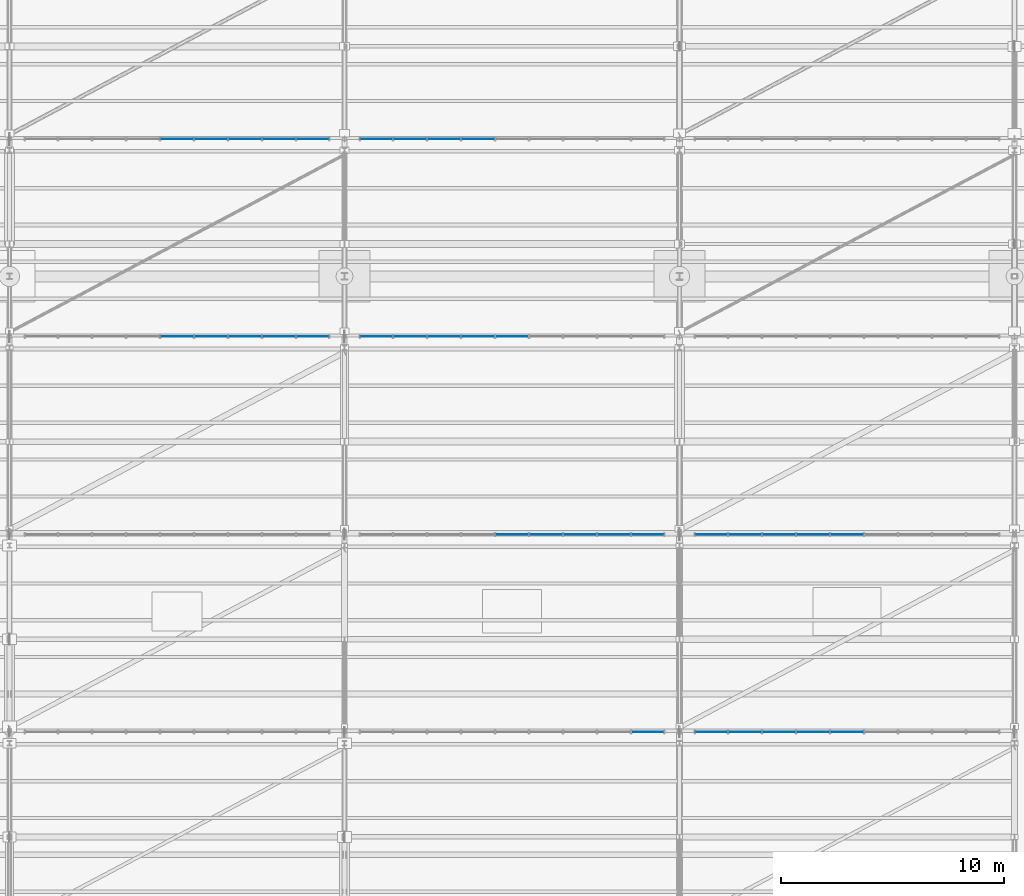
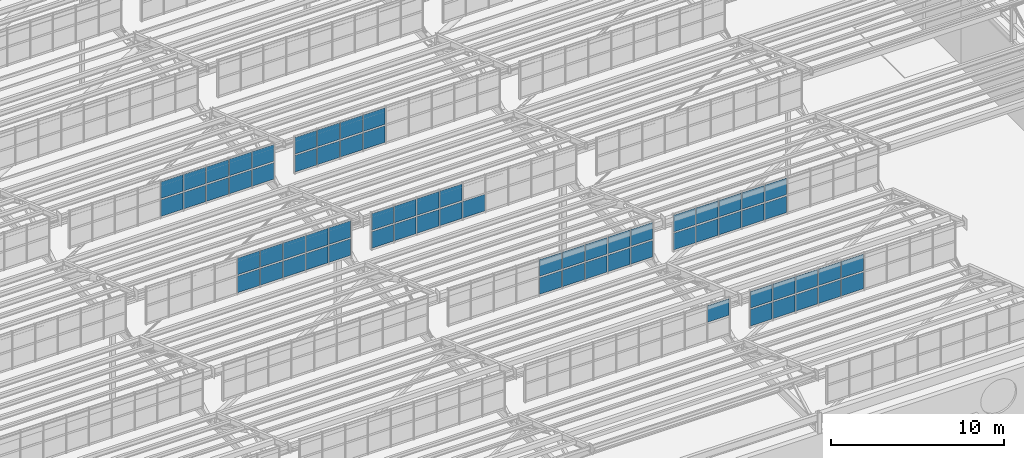
# One storey, part 174 of 285: 68 plates, 8 elements without a shape of their own.
"""IFC4 building model written with IfcOpenShell, lengths in metres."""

import ifcopenshell
import ifcopenshell.guid

model = None  # the IFC model being written
_history = None  # IfcOwnerHistory: only IFC2X3 demands one
_inside = {}  # id of a spatial element -> (the spatial element, [elements in it])
_under = {}  # id of a project, library or spatial element -> (it, [spatial elements below it])
_declared = {}  # id of a project -> (the project, [libraries it declares])
_typed = {}  # id of a type object -> (the type object, [elements of that type])
_made_of = {}  # id of a material, layer set ... -> (it, [elements and type objects made of it])


def new_model(schema):
    """Start an empty IFC model of exactly this schema.

    Asked for "IFC4X3", IfcOpenShell would pick the latest addendum, in which some entities
    have other attributes; the version numbers below select the first issue.
    IFC2X3 requires an IfcOwnerHistory on every rooted entity: one is made here for all.
    """
    global model, _history
    if schema == "IFC4X3":
        model = ifcopenshell.file(schema_version=(4, 3, 0, 0))
    else:
        model = ifcopenshell.file(schema=schema)
    _inside.clear()
    _under.clear()
    _declared.clear()
    _typed.clear()
    _made_of.clear()
    _history = None
    if model.schema == "IFC2X3":
        org = make("IfcOrganization", Name="unknown")
        user = make(
            "IfcPersonAndOrganization",
            ThePerson=make("IfcPerson", FamilyName="unknown"),
            TheOrganization=org,
        )
        app = make(
            "IfcApplication",
            ApplicationDeveloper=org,
            Version="unknown",
            ApplicationFullName="unknown",
            ApplicationIdentifier="unknown",
        )
        _history = make(
            "IfcOwnerHistory",
            OwningUser=user,
            OwningApplication=app,
            ChangeAction="ADDED",
            CreationDate=0,
        )
    return model


def make(cls, **values):
    """One entity of the class cls with the attributes given. An attribute that is None is left unset."""
    return model.create_entity(
        cls, **{name: value for name, value in values.items() if value is not None}
    )


def rooted(cls, **values):
    """An entity with a GlobalId (a new one), such as an element, a storey or a relation."""
    return make(cls, GlobalId=ifcopenshell.guid.new(), OwnerHistory=_history, **values)


def si_unit(unit_type, name, prefix=None):
    """IfcSIUnit, for example si_unit("LENGTHUNIT", "METRE", prefix="MILLI")."""
    return make("IfcSIUnit", UnitType=unit_type, Prefix=prefix, Name=name)


def assignment(units):
    """IfcUnitAssignment: the units of a project."""
    return None if units is None else make("IfcUnitAssignment", Units=units)


def point(xyz):
    """IfcCartesianPoint."""
    return None if xyz is None else make("IfcCartesianPoint", Coordinates=xyz)


def direction(xyz):
    """IfcDirection."""
    return None if xyz is None else make("IfcDirection", DirectionRatios=xyz)


def frame(location, z_axis=None, x_axis=None):
    """IfcAxis2Placement3D, a coordinate frame: its origin and axes. An axis left out is left unset."""
    return make(
        "IfcAxis2Placement3D",
        Location=point(location),
        Axis=direction(z_axis),
        RefDirection=direction(x_axis),
    )


def frame_2d(location, x_axis=None):
    """IfcAxis2Placement2D, a coordinate frame in the plane: its origin and x axis."""
    return make(
        "IfcAxis2Placement2D", Location=point(location), RefDirection=direction(x_axis)
    )


def origin():
    """The frame at (0, 0, 0) with its axes left unset."""
    return frame((0.0, 0.0, 0.0))


def origin_2d():
    """The frame at (0, 0) in the plane with its x axis left unset."""
    return frame_2d((0.0, 0.0))


def place(relative_to, where):
    """IfcLocalPlacement: puts the frame where relative to a parent placement (None: the world)."""
    return make(
        "IfcLocalPlacement", PlacementRelTo=relative_to, RelativePlacement=where
    )


def context(
    kind, dimensions, precision=None, world=None, true_north=None, identifier=None
):
    """IfcGeometricRepresentationContext, for example the 3D "Model" context."""
    return make(
        "IfcGeometricRepresentationContext",
        ContextIdentifier=identifier,
        ContextType=kind,
        CoordinateSpaceDimension=dimensions,
        Precision=precision,
        WorldCoordinateSystem=world,
        TrueNorth=true_north,
    )


def subcontext(parent, identifier, kind, view, scale=None):
    """IfcGeometricRepresentationSubContext, for example "Body" below "Model"."""
    return make(
        "IfcGeometricRepresentationSubContext",
        ContextIdentifier=identifier,
        ContextType=kind,
        ParentContext=parent,
        TargetScale=scale,
        TargetView=view,
    )


def project(units=None, contexts=None):
    """IfcProject with its units and contexts."""
    return rooted(
        "IfcProject",
        Name="project",
        RepresentationContexts=contexts,
        UnitsInContext=assignment(units),
    )


def spatial(cls, under=None, at=None, **own):
    """A site, building, storey or space (cls), placed at a placement, below another one or the project."""
    s = rooted(cls, ObjectPlacement=at, **own)
    if under is not None:
        _under.setdefault(under.id(), (under, []))[1].append(s)
    return s


def profile(cls, at=None, kind="AREA", **sizes):
    """A parametric profile (cls). Its sizes go by their IFC names, for example OverallWidth=200.0."""
    return make(cls, ProfileType=kind, Position=at, **sizes)


def rectangle(**sizes):
    """IfcRectangleProfileDef."""
    return profile("IfcRectangleProfileDef", **sizes)


def extrude(swept, where, along, depth):
    """IfcExtrudedAreaSolid: the profile swept, set in the frame where, extruded along a direction by depth."""
    return make(
        "IfcExtrudedAreaSolid",
        SweptArea=swept,
        Position=where,
        ExtrudedDirection=direction(along),
        Depth=depth,
    )


def shape(context_of_items, identifier, shape_type, items):
    """IfcShapeRepresentation: the items that make up one representation, for example the "Body"."""
    return make(
        "IfcShapeRepresentation",
        ContextOfItems=context_of_items,
        RepresentationIdentifier=identifier,
        RepresentationType=shape_type,
        Items=items,
    )


def material(Name=None, Category=None):
    """IfcMaterial."""
    return make("IfcMaterial", Name=Name, Category=Category)


def layer(
    of_material, thickness, ventilated=None, Name=None, Category=None, Priority=None
):
    """IfcMaterialLayer: one layer of a wall or slab, of a material (None: an air gap)."""
    return make(
        "IfcMaterialLayer",
        Material=of_material,
        LayerThickness=thickness,
        IsVentilated=ventilated,
        Name=Name,
        Category=Category,
        Priority=Priority,
    )


def layer_set(layers, Name=None):
    """IfcMaterialLayerSet."""
    return make("IfcMaterialLayerSet", MaterialLayers=layers, LayerSetName=Name)


def made_of(thing, what):
    """Note that an element or type object is made of a material, layer set ...; save() writes the relation."""
    if what is not None:
        _made_of.setdefault(what.id(), (what, []))[1].append(thing)
    return thing


def type_object(cls, material=None, **own):
    """A type object (cls), such as IfcWallType, which elements share."""
    return made_of(rooted(cls, **own), material)


def element(
    cls,
    number,
    at=None,
    inside=None,
    cuts=None,
    type_object=None,
    material=None,
    context=None,
    identifier="Body",
    shape_type=None,
    held_by="IfcProductDefinitionShape",
    body=None,
    shapes=None,
    **own,
):
    """One element of the class cls, such as IfcWall. Its Tag is "e" and its number.

    at: its placement. inside: the storey or other place that contains it. cuts: it is an
    opening in that element (IfcRelVoidsElement). A single representation is given by context,
    identifier, shape_type and body (its items); several are given by shapes. held_by: the class
    of the entity that holds the representations. save() writes the other relations.
    """
    e = rooted(cls, Tag="e%d" % number, ObjectPlacement=at, **own)
    if body is not None:
        shapes = [shape(context, identifier, shape_type, body)]
    if shapes is not None:
        e.Representation = make(held_by, Representations=shapes)
    if inside is not None:
        _inside.setdefault(inside.id(), (inside, []))[1].append(e)
    if cuts is not None:
        rooted(
            "IfcRelVoidsElement", RelatingBuildingElement=cuts, RelatedOpeningElement=e
        )
    if type_object is not None:
        _typed.setdefault(type_object.id(), (type_object, []))[1].append(e)
    return made_of(e, material)


def aggregate(whole, parts):
    """IfcRelAggregates: a whole, such as a stair, and the parts it consists of."""
    return rooted("IfcRelAggregates", RelatingObject=whole, RelatedObjects=parts)


def save(model, path):
    """Write the relations noted so far, then the file.

    IfcRelAggregates (storeys below a building ...), IfcRelContainedInSpatialStructure (elements
    in a storey), IfcRelDefinesByType, IfcRelAssociatesMaterial and IfcRelDeclares: one each for
    every whole, place, type object, material and project.
    """
    for whole, parts in _under.values():
        aggregate(whole, parts)
    for where, things in _inside.values():
        rooted(
            "IfcRelContainedInSpatialStructure",
            RelatedElements=things,
            RelatingStructure=where,
        )
    for kind, things in _typed.values():
        rooted("IfcRelDefinesByType", RelatedObjects=things, RelatingType=kind)
    for what, things in _made_of.values():
        rooted("IfcRelAssociatesMaterial", RelatedObjects=things, RelatingMaterial=what)
    for by, libraries in _declared.values():
        rooted("IfcRelDeclares", RelatingContext=by, RelatedDefinitions=libraries)
    model.write(path)


model = new_model("IFC4")

# Units and contexts
model_context = context("Model", 3, precision=1e-05, world=origin(), true_north=direction((0.0, 1.0)))
body_context = subcontext(model_context, "Body", "Model", "MODEL_VIEW")
ifc_project = project(units=[si_unit("LENGTHUNIT", "METRE"), si_unit("AREAUNIT", "SQUARE_METRE"), si_unit("VOLUMEUNIT", "CUBIC_METRE"), si_unit("PLANEANGLEUNIT", "RADIAN"), si_unit("MASSUNIT", "GRAM", prefix="KILO")], contexts=[model_context])

# Site, building, storey
site_placement = place(None, origin())
site = spatial("IfcSite", under=ifc_project, at=site_placement, CompositionType="ELEMENT")
building_placement = place(site_placement, origin())
building = spatial("IfcBuilding", under=site, at=building_placement, Name="Solanera Park Tramway Depot", CompositionType="ELEMENT")
storey_placement = place(building_placement, origin())
storey = spatial("IfcBuildingStorey", under=building, at=storey_placement, Name="L00", CompositionType="ELEMENT", Elevation=0.0)

# Curtain wall, plate
ifc_material_1 = material(Name="Bronze-anodised thermally broken aluminium curtain wall", Category="aluminium")
curtain_wall_type = type_object("IfcCurtainWallType", Name="Sawtooth Clerestory Monitor Curtain Wall", PredefinedType="NOTDEFINED", material=ifc_material_1)
curtain_wall_1_placement = place(storey_placement, origin())
curtain_wall_1 = element("IfcCurtainWall", 1, at=curtain_wall_1_placement, inside=storey, type_object=curtain_wall_type, Name="L00 Sawtooth Clerestory Monitor Curtain Wall #010", PredefinedType="NOTDEFINED")
ifc_material_2 = material(Name="Low-E laminated solar-control double glazing", Category="glass")
ifc_layer = layer(ifc_material_2, 0.028076171875)
ifc_layer_set = layer_set([ifc_layer], Name="Low-E laminated solar-control double glazing")
plate_type = type_object("IfcPlateType", Name="Curtain Wall Double Glazing Panel 28", PredefinedType="CURTAIN_PANEL", material=ifc_layer_set)
plate_1_placement = place(storey_placement, frame((118.572509765625, 64.60009765625, 9.132568359375), z_axis=(0.0, 0.0, 1.0), x_axis=(1.0, 0.0, 0.0)))
plate_1 = element("IfcPlate", 2, at=plate_1_placement, type_object=plate_type, Name="CW-L00-010 Glazing Panel R2.C9", PredefinedType="CURTAIN_PANEL", context=body_context, shape_type="SweptSolid", body=[
    extrude(rectangle(XDim=1.437744140625, YDim=0.028076171875, at=origin_2d()), origin(), (0.0, 0.0, 1.0), 1.16650390625),
])
aggregate(curtain_wall_1, [plate_1])

# Curtain wall, plates
curtain_wall_2_placement = place(storey_placement, origin())
curtain_wall_2 = element("IfcCurtainWall", 3, at=curtain_wall_2_placement, inside=storey, type_object=curtain_wall_type, Name="L00 Sawtooth Clerestory Monitor Curtain Wall #011", PredefinedType="NOTDEFINED")
plate_2_placement = place(storey_placement, frame((121.427490234375, 64.60009765625, 7.862060546875), z_axis=(0.0, 0.0, 1.0), x_axis=(1.0, 0.0, 0.0)))
plate_2 = element("IfcPlate", 4, at=plate_2_placement, type_object=plate_type, Name="CW-L00-011 Glazing Panel R1.C1", PredefinedType="CURTAIN_PANEL", context=body_context, shape_type="SweptSolid", body=[
    extrude(rectangle(XDim=1.437744140625, YDim=0.028076171875, at=origin_2d()), origin(), (0.0, 0.0, 1.0), 1.16650390625),
])
plate_3_placement = place(storey_placement, frame((122.933349609375, 64.60009765625, 7.862060546875), z_axis=(0.0, 0.0, 1.0), x_axis=(1.0, 0.0, 0.0)))
plate_3 = element("IfcPlate", 5, at=plate_3_placement, type_object=plate_type, Name="CW-L00-011 Glazing Panel R1.C2", PredefinedType="CURTAIN_PANEL", context=body_context, shape_type="SweptSolid", body=[
    extrude(rectangle(XDim=1.47021484375, YDim=0.028076171875, at=origin_2d()), origin(), (0.0, 0.0, 1.0), 1.16650390625),
])
plate_4_placement = place(storey_placement, frame((124.45556640625, 64.60009765625, 7.862060546875), z_axis=(0.0, 0.0, 1.0), x_axis=(1.0, 0.0, 0.0)))
plate_4 = element("IfcPlate", 6, at=plate_4_placement, type_object=plate_type, Name="CW-L00-011 Glazing Panel R1.C3", PredefinedType="CURTAIN_PANEL", context=body_context, shape_type="SweptSolid", body=[
    extrude(rectangle(XDim=1.47021484375, YDim=0.028076171875, at=origin_2d()), origin(), (0.0, 0.0, 1.0), 1.16650390625),
])
plate_5_placement = place(storey_placement, frame((125.977783203125, 64.60009765625, 7.862060546875), z_axis=(0.0, 0.0, 1.0), x_axis=(1.0, 0.0, 0.0)))
plate_5 = element("IfcPlate", 7, at=plate_5_placement, type_object=plate_type, Name="CW-L00-011 Glazing Panel R1.C4", PredefinedType="CURTAIN_PANEL", context=body_context, shape_type="SweptSolid", body=[
    extrude(rectangle(XDim=1.47021484375, YDim=0.028076171875, at=origin_2d()), origin(), (0.0, 0.0, 1.0), 1.16650390625),
])
plate_6_placement = place(storey_placement, frame((127.5, 64.60009765625, 7.862060546875), z_axis=(0.0, 0.0, 1.0), x_axis=(1.0, 0.0, 0.0)))
plate_6 = element("IfcPlate", 8, at=plate_6_placement, type_object=plate_type, Name="CW-L00-011 Glazing Panel R1.C5", PredefinedType="CURTAIN_PANEL", context=body_context, shape_type="SweptSolid", body=[
    extrude(rectangle(XDim=1.47021484375, YDim=0.028076171875, at=origin_2d()), origin(), (0.0, 0.0, 1.0), 1.16650390625),
])
plate_7_placement = place(storey_placement, frame((121.427490234375, 64.60009765625, 9.132568359375), z_axis=(0.0, 0.0, 1.0), x_axis=(1.0, 0.0, 0.0)))
plate_7 = element("IfcPlate", 9, at=plate_7_placement, type_object=plate_type, Name="CW-L00-011 Glazing Panel R2.C1", PredefinedType="CURTAIN_PANEL", context=body_context, shape_type="SweptSolid", body=[
    extrude(rectangle(XDim=1.437744140625, YDim=0.028076171875, at=origin_2d()), origin(), (0.0, 0.0, 1.0), 1.16650390625),
])
plate_8_placement = place(storey_placement, frame((122.933349609375, 64.60009765625, 9.132568359375), z_axis=(0.0, 0.0, 1.0), x_axis=(1.0, 0.0, 0.0)))
plate_8 = element("IfcPlate", 10, at=plate_8_placement, type_object=plate_type, Name="CW-L00-011 Glazing Panel R2.C2", PredefinedType="CURTAIN_PANEL", context=body_context, shape_type="SweptSolid", body=[
    extrude(rectangle(XDim=1.47021484375, YDim=0.028076171875, at=origin_2d()), origin(), (0.0, 0.0, 1.0), 1.16650390625),
])
plate_9_placement = place(storey_placement, frame((124.45556640625, 64.60009765625, 9.132568359375), z_axis=(0.0, 0.0, 1.0), x_axis=(1.0, 0.0, 0.0)))
plate_9 = element("IfcPlate", 11, at=plate_9_placement, type_object=plate_type, Name="CW-L00-011 Glazing Panel R2.C3", PredefinedType="CURTAIN_PANEL", context=body_context, shape_type="SweptSolid", body=[
    extrude(rectangle(XDim=1.47021484375, YDim=0.028076171875, at=origin_2d()), origin(), (0.0, 0.0, 1.0), 1.16650390625),
])
plate_10_placement = place(storey_placement, frame((125.977783203125, 64.60009765625, 9.132568359375), z_axis=(0.0, 0.0, 1.0), x_axis=(1.0, 0.0, 0.0)))
plate_10 = element("IfcPlate", 12, at=plate_10_placement, type_object=plate_type, Name="CW-L00-011 Glazing Panel R2.C4", PredefinedType="CURTAIN_PANEL", context=body_context, shape_type="SweptSolid", body=[
    extrude(rectangle(XDim=1.47021484375, YDim=0.028076171875, at=origin_2d()), origin(), (0.0, 0.0, 1.0), 1.16650390625),
])
plate_11_placement = place(storey_placement, frame((127.5, 64.60009765625, 9.132568359375), z_axis=(0.0, 0.0, 1.0), x_axis=(1.0, 0.0, 0.0)))
plate_11 = element("IfcPlate", 13, at=plate_11_placement, type_object=plate_type, Name="CW-L00-011 Glazing Panel R2.C5", PredefinedType="CURTAIN_PANEL", context=body_context, shape_type="SweptSolid", body=[
    extrude(rectangle(XDim=1.47021484375, YDim=0.028076171875, at=origin_2d()), origin(), (0.0, 0.0, 1.0), 1.16650390625),
])
aggregate(curtain_wall_2, [plate_2, plate_3, plate_4, plate_5, plate_6, plate_7, plate_8, plate_9, plate_10, plate_11])

curtain_wall_3_placement = place(storey_placement, origin())
curtain_wall_3 = element("IfcCurtainWall", 14, at=curtain_wall_3_placement, inside=storey, type_object=curtain_wall_type, Name="L00 Sawtooth Clerestory Monitor Curtain Wall #018", PredefinedType="NOTDEFINED")
plate_12_placement = place(storey_placement, frame((112.5, 73.449951171875, 7.862060546875), z_axis=(0.0, 0.0, 1.0), x_axis=(1.0, 0.0, 0.0)))
plate_12 = element("IfcPlate", 15, at=plate_12_placement, type_object=plate_type, Name="CW-L00-018 Glazing Panel R1.C5", PredefinedType="CURTAIN_PANEL", context=body_context, shape_type="SweptSolid", body=[
    extrude(rectangle(XDim=1.47021484375, YDim=0.028076171875, at=origin_2d()), origin(), (0.0, 0.0, 1.0), 1.16650390625),
])
plate_13_placement = place(storey_placement, frame((114.022216796875, 73.449951171875, 7.862060546875), z_axis=(0.0, 0.0, 1.0), x_axis=(1.0, 0.0, 0.0)))
plate_13 = element("IfcPlate", 16, at=plate_13_placement, type_object=plate_type, Name="CW-L00-018 Glazing Panel R1.C6", PredefinedType="CURTAIN_PANEL", context=body_context, shape_type="SweptSolid", body=[
    extrude(rectangle(XDim=1.47021484375, YDim=0.028076171875, at=origin_2d()), origin(), (0.0, 0.0, 1.0), 1.16650390625),
])
plate_14_placement = place(storey_placement, frame((115.54443359375, 73.449951171875, 7.862060546875), z_axis=(0.0, 0.0, 1.0), x_axis=(1.0, 0.0, 0.0)))
plate_14 = element("IfcPlate", 17, at=plate_14_placement, type_object=plate_type, Name="CW-L00-018 Glazing Panel R1.C7", PredefinedType="CURTAIN_PANEL", context=body_context, shape_type="SweptSolid", body=[
    extrude(rectangle(XDim=1.47021484375, YDim=0.028076171875, at=origin_2d()), origin(), (0.0, 0.0, 1.0), 1.16650390625),
])
plate_15_placement = place(storey_placement, frame((117.066650390625, 73.449951171875, 7.862060546875), z_axis=(0.0, 0.0, 1.0), x_axis=(1.0, 0.0, 0.0)))
plate_15 = element("IfcPlate", 18, at=plate_15_placement, type_object=plate_type, Name="CW-L00-018 Glazing Panel R1.C8", PredefinedType="CURTAIN_PANEL", context=body_context, shape_type="SweptSolid", body=[
    extrude(rectangle(XDim=1.47021484375, YDim=0.028076171875, at=origin_2d()), origin(), (0.0, 0.0, 1.0), 1.16650390625),
])
plate_16_placement = place(storey_placement, frame((118.572509765625, 73.449951171875, 7.862060546875), z_axis=(0.0, 0.0, 1.0), x_axis=(1.0, 0.0, 0.0)))
plate_16 = element("IfcPlate", 19, at=plate_16_placement, type_object=plate_type, Name="CW-L00-018 Glazing Panel R1.C9", PredefinedType="CURTAIN_PANEL", context=body_context, shape_type="SweptSolid", body=[
    extrude(rectangle(XDim=1.437744140625, YDim=0.028076171875, at=origin_2d()), origin(), (0.0, 0.0, 1.0), 1.16650390625),
])
plate_17_placement = place(storey_placement, frame((112.5, 73.449951171875, 9.132568359375), z_axis=(0.0, 0.0, 1.0), x_axis=(1.0, 0.0, 0.0)))
plate_17 = element("IfcPlate", 20, at=plate_17_placement, type_object=plate_type, Name="CW-L00-018 Glazing Panel R2.C5", PredefinedType="CURTAIN_PANEL", context=body_context, shape_type="SweptSolid", body=[
    extrude(rectangle(XDim=1.47021484375, YDim=0.028076171875, at=origin_2d()), origin(), (0.0, 0.0, 1.0), 1.16650390625),
])
plate_18_placement = place(storey_placement, frame((114.022216796875, 73.449951171875, 9.132568359375), z_axis=(0.0, 0.0, 1.0), x_axis=(1.0, 0.0, 0.0)))
plate_18 = element("IfcPlate", 21, at=plate_18_placement, type_object=plate_type, Name="CW-L00-018 Glazing Panel R2.C6", PredefinedType="CURTAIN_PANEL", context=body_context, shape_type="SweptSolid", body=[
    extrude(rectangle(XDim=1.47021484375, YDim=0.028076171875, at=origin_2d()), origin(), (0.0, 0.0, 1.0), 1.16650390625),
])
plate_19_placement = place(storey_placement, frame((115.54443359375, 73.449951171875, 9.132568359375), z_axis=(0.0, 0.0, 1.0), x_axis=(1.0, 0.0, 0.0)))
plate_19 = element("IfcPlate", 22, at=plate_19_placement, type_object=plate_type, Name="CW-L00-018 Glazing Panel R2.C7", PredefinedType="CURTAIN_PANEL", context=body_context, shape_type="SweptSolid", body=[
    extrude(rectangle(XDim=1.47021484375, YDim=0.028076171875, at=origin_2d()), origin(), (0.0, 0.0, 1.0), 1.16650390625),
])
plate_20_placement = place(storey_placement, frame((117.066650390625, 73.449951171875, 9.132568359375), z_axis=(0.0, 0.0, 1.0), x_axis=(1.0, 0.0, 0.0)))
plate_20 = element("IfcPlate", 23, at=plate_20_placement, type_object=plate_type, Name="CW-L00-018 Glazing Panel R2.C8", PredefinedType="CURTAIN_PANEL", context=body_context, shape_type="SweptSolid", body=[
    extrude(rectangle(XDim=1.47021484375, YDim=0.028076171875, at=origin_2d()), origin(), (0.0, 0.0, 1.0), 1.16650390625),
])
plate_21_placement = place(storey_placement, frame((118.572509765625, 73.449951171875, 9.132568359375), z_axis=(0.0, 0.0, 1.0), x_axis=(1.0, 0.0, 0.0)))
plate_21 = element("IfcPlate", 24, at=plate_21_placement, type_object=plate_type, Name="CW-L00-018 Glazing Panel R2.C9", PredefinedType="CURTAIN_PANEL", context=body_context, shape_type="SweptSolid", body=[
    extrude(rectangle(XDim=1.437744140625, YDim=0.028076171875, at=origin_2d()), origin(), (0.0, 0.0, 1.0), 1.16650390625),
])
aggregate(curtain_wall_3, [plate_12, plate_13, plate_14, plate_15, plate_16, plate_17, plate_18, plate_19, plate_20, plate_21])

curtain_wall_4_placement = place(storey_placement, origin())
curtain_wall_4 = element("IfcCurtainWall", 25, at=curtain_wall_4_placement, inside=storey, type_object=curtain_wall_type, Name="L00 Sawtooth Clerestory Monitor Curtain Wall #019", PredefinedType="NOTDEFINED")
plate_22_placement = place(storey_placement, frame((121.427490234375, 73.449951171875, 7.862060546875), z_axis=(0.0, 0.0, 1.0), x_axis=(1.0, 0.0, 0.0)))
plate_22 = element("IfcPlate", 26, at=plate_22_placement, type_object=plate_type, Name="CW-L00-019 Glazing Panel R1.C1", PredefinedType="CURTAIN_PANEL", context=body_context, shape_type="SweptSolid", body=[
    extrude(rectangle(XDim=1.437744140625, YDim=0.028076171875, at=origin_2d()), origin(), (0.0, 0.0, 1.0), 1.16650390625),
])
plate_23_placement = place(storey_placement, frame((122.933349609375, 73.449951171875, 7.862060546875), z_axis=(0.0, 0.0, 1.0), x_axis=(1.0, 0.0, 0.0)))
plate_23 = element("IfcPlate", 27, at=plate_23_placement, type_object=plate_type, Name="CW-L00-019 Glazing Panel R1.C2", PredefinedType="CURTAIN_PANEL", context=body_context, shape_type="SweptSolid", body=[
    extrude(rectangle(XDim=1.47021484375, YDim=0.028076171875, at=origin_2d()), origin(), (0.0, 0.0, 1.0), 1.16650390625),
])
plate_24_placement = place(storey_placement, frame((124.45556640625, 73.449951171875, 7.862060546875), z_axis=(0.0, 0.0, 1.0), x_axis=(1.0, 0.0, 0.0)))
plate_24 = element("IfcPlate", 28, at=plate_24_placement, type_object=plate_type, Name="CW-L00-019 Glazing Panel R1.C3", PredefinedType="CURTAIN_PANEL", context=body_context, shape_type="SweptSolid", body=[
    extrude(rectangle(XDim=1.47021484375, YDim=0.028076171875, at=origin_2d()), origin(), (0.0, 0.0, 1.0), 1.16650390625),
])
plate_25_placement = place(storey_placement, frame((125.977783203125, 73.449951171875, 7.862060546875), z_axis=(0.0, 0.0, 1.0), x_axis=(1.0, 0.0, 0.0)))
plate_25 = element("IfcPlate", 29, at=plate_25_placement, type_object=plate_type, Name="CW-L00-019 Glazing Panel R1.C4", PredefinedType="CURTAIN_PANEL", context=body_context, shape_type="SweptSolid", body=[
    extrude(rectangle(XDim=1.47021484375, YDim=0.028076171875, at=origin_2d()), origin(), (0.0, 0.0, 1.0), 1.16650390625),
])
plate_26_placement = place(storey_placement, frame((127.5, 73.449951171875, 7.862060546875), z_axis=(0.0, 0.0, 1.0), x_axis=(1.0, 0.0, 0.0)))
plate_26 = element("IfcPlate", 30, at=plate_26_placement, type_object=plate_type, Name="CW-L00-019 Glazing Panel R1.C5", PredefinedType="CURTAIN_PANEL", context=body_context, shape_type="SweptSolid", body=[
    extrude(rectangle(XDim=1.47021484375, YDim=0.028076171875, at=origin_2d()), origin(), (0.0, 0.0, 1.0), 1.16650390625),
])
plate_27_placement = place(storey_placement, frame((121.427490234375, 73.449951171875, 9.132568359375), z_axis=(0.0, 0.0, 1.0), x_axis=(1.0, 0.0, 0.0)))
plate_27 = element("IfcPlate", 31, at=plate_27_placement, type_object=plate_type, Name="CW-L00-019 Glazing Panel R2.C1", PredefinedType="CURTAIN_PANEL", context=body_context, shape_type="SweptSolid", body=[
    extrude(rectangle(XDim=1.437744140625, YDim=0.028076171875, at=origin_2d()), origin(), (0.0, 0.0, 1.0), 1.16650390625),
])
plate_28_placement = place(storey_placement, frame((122.933349609375, 73.449951171875, 9.132568359375), z_axis=(0.0, 0.0, 1.0), x_axis=(1.0, 0.0, 0.0)))
plate_28 = element("IfcPlate", 32, at=plate_28_placement, type_object=plate_type, Name="CW-L00-019 Glazing Panel R2.C2", PredefinedType="CURTAIN_PANEL", context=body_context, shape_type="SweptSolid", body=[
    extrude(rectangle(XDim=1.47021484375, YDim=0.028076171875, at=origin_2d()), origin(), (0.0, 0.0, 1.0), 1.16650390625),
])
plate_29_placement = place(storey_placement, frame((124.45556640625, 73.449951171875, 9.132568359375), z_axis=(0.0, 0.0, 1.0), x_axis=(1.0, 0.0, 0.0)))
plate_29 = element("IfcPlate", 33, at=plate_29_placement, type_object=plate_type, Name="CW-L00-019 Glazing Panel R2.C3", PredefinedType="CURTAIN_PANEL", context=body_context, shape_type="SweptSolid", body=[
    extrude(rectangle(XDim=1.47021484375, YDim=0.028076171875, at=origin_2d()), origin(), (0.0, 0.0, 1.0), 1.16650390625),
])
plate_30_placement = place(storey_placement, frame((125.977783203125, 73.449951171875, 9.132568359375), z_axis=(0.0, 0.0, 1.0), x_axis=(1.0, 0.0, 0.0)))
plate_30 = element("IfcPlate", 34, at=plate_30_placement, type_object=plate_type, Name="CW-L00-019 Glazing Panel R2.C4", PredefinedType="CURTAIN_PANEL", context=body_context, shape_type="SweptSolid", body=[
    extrude(rectangle(XDim=1.47021484375, YDim=0.028076171875, at=origin_2d()), origin(), (0.0, 0.0, 1.0), 1.16650390625),
])
plate_31_placement = place(storey_placement, frame((127.5, 73.449951171875, 9.132568359375), z_axis=(0.0, 0.0, 1.0), x_axis=(1.0, 0.0, 0.0)))
plate_31 = element("IfcPlate", 35, at=plate_31_placement, type_object=plate_type, Name="CW-L00-019 Glazing Panel R2.C5", PredefinedType="CURTAIN_PANEL", context=body_context, shape_type="SweptSolid", body=[
    extrude(rectangle(XDim=1.47021484375, YDim=0.028076171875, at=origin_2d()), origin(), (0.0, 0.0, 1.0), 1.16650390625),
])
aggregate(curtain_wall_4, [plate_22, plate_23, plate_24, plate_25, plate_26, plate_27, plate_28, plate_29, plate_30, plate_31])

curtain_wall_5_placement = place(storey_placement, origin())
curtain_wall_5 = element("IfcCurtainWall", 36, at=curtain_wall_5_placement, inside=storey, type_object=curtain_wall_type, Name="L00 Sawtooth Clerestory Monitor Curtain Wall #025", PredefinedType="NOTDEFINED")
plate_32_placement = place(storey_placement, frame((97.5, 82.300048828125, 7.862060546875), z_axis=(0.0, 0.0, 1.0), x_axis=(1.0, 0.0, 0.0)))
plate_32 = element("IfcPlate", 37, at=plate_32_placement, type_object=plate_type, Name="CW-L00-025 Glazing Panel R1.C5", PredefinedType="CURTAIN_PANEL", context=body_context, shape_type="SweptSolid", body=[
    extrude(rectangle(XDim=1.47021484375, YDim=0.028076171875, at=origin_2d()), origin(), (0.0, 0.0, 1.0), 1.16650390625),
])
plate_33_placement = place(storey_placement, frame((99.022216796875, 82.300048828125, 7.862060546875), z_axis=(0.0, 0.0, 1.0), x_axis=(1.0, 0.0, 0.0)))
plate_33 = element("IfcPlate", 38, at=plate_33_placement, type_object=plate_type, Name="CW-L00-025 Glazing Panel R1.C6", PredefinedType="CURTAIN_PANEL", context=body_context, shape_type="SweptSolid", body=[
    extrude(rectangle(XDim=1.47021484375, YDim=0.028076171875, at=origin_2d()), origin(), (0.0, 0.0, 1.0), 1.16650390625),
])
plate_34_placement = place(storey_placement, frame((100.54443359375, 82.300048828125, 7.862060546875), z_axis=(0.0, 0.0, 1.0), x_axis=(1.0, 0.0, 0.0)))
plate_34 = element("IfcPlate", 39, at=plate_34_placement, type_object=plate_type, Name="CW-L00-025 Glazing Panel R1.C7", PredefinedType="CURTAIN_PANEL", context=body_context, shape_type="SweptSolid", body=[
    extrude(rectangle(XDim=1.47021484375, YDim=0.028076171875, at=origin_2d()), origin(), (0.0, 0.0, 1.0), 1.16650390625),
])
plate_35_placement = place(storey_placement, frame((102.066650390625, 82.300048828125, 7.862060546875), z_axis=(0.0, 0.0, 1.0), x_axis=(1.0, 0.0, 0.0)))
plate_35 = element("IfcPlate", 40, at=plate_35_placement, type_object=plate_type, Name="CW-L00-025 Glazing Panel R1.C8", PredefinedType="CURTAIN_PANEL", context=body_context, shape_type="SweptSolid", body=[
    extrude(rectangle(XDim=1.47021484375, YDim=0.028076171875, at=origin_2d()), origin(), (0.0, 0.0, 1.0), 1.16650390625),
])
plate_36_placement = place(storey_placement, frame((103.572509765625, 82.300048828125, 7.862060546875), z_axis=(0.0, 0.0, 1.0), x_axis=(1.0, 0.0, 0.0)))
plate_36 = element("IfcPlate", 41, at=plate_36_placement, type_object=plate_type, Name="CW-L00-025 Glazing Panel R1.C9", PredefinedType="CURTAIN_PANEL", context=body_context, shape_type="SweptSolid", body=[
    extrude(rectangle(XDim=1.437744140625, YDim=0.028076171875, at=origin_2d()), origin(), (0.0, 0.0, 1.0), 1.16650390625),
])
plate_37_placement = place(storey_placement, frame((97.5, 82.300048828125, 9.132568359375), z_axis=(0.0, 0.0, 1.0), x_axis=(1.0, 0.0, 0.0)))
plate_37 = element("IfcPlate", 42, at=plate_37_placement, type_object=plate_type, Name="CW-L00-025 Glazing Panel R2.C5", PredefinedType="CURTAIN_PANEL", context=body_context, shape_type="SweptSolid", body=[
    extrude(rectangle(XDim=1.47021484375, YDim=0.028076171875, at=origin_2d()), origin(), (0.0, 0.0, 1.0), 1.16650390625),
])
plate_38_placement = place(storey_placement, frame((99.022216796875, 82.300048828125, 9.132568359375), z_axis=(0.0, 0.0, 1.0), x_axis=(1.0, 0.0, 0.0)))
plate_38 = element("IfcPlate", 43, at=plate_38_placement, type_object=plate_type, Name="CW-L00-025 Glazing Panel R2.C6", PredefinedType="CURTAIN_PANEL", context=body_context, shape_type="SweptSolid", body=[
    extrude(rectangle(XDim=1.47021484375, YDim=0.028076171875, at=origin_2d()), origin(), (0.0, 0.0, 1.0), 1.16650390625),
])
plate_39_placement = place(storey_placement, frame((100.54443359375, 82.300048828125, 9.132568359375), z_axis=(0.0, 0.0, 1.0), x_axis=(1.0, 0.0, 0.0)))
plate_39 = element("IfcPlate", 44, at=plate_39_placement, type_object=plate_type, Name="CW-L00-025 Glazing Panel R2.C7", PredefinedType="CURTAIN_PANEL", context=body_context, shape_type="SweptSolid", body=[
    extrude(rectangle(XDim=1.47021484375, YDim=0.028076171875, at=origin_2d()), origin(), (0.0, 0.0, 1.0), 1.16650390625),
])
plate_40_placement = place(storey_placement, frame((102.066650390625, 82.300048828125, 9.132568359375), z_axis=(0.0, 0.0, 1.0), x_axis=(1.0, 0.0, 0.0)))
plate_40 = element("IfcPlate", 45, at=plate_40_placement, type_object=plate_type, Name="CW-L00-025 Glazing Panel R2.C8", PredefinedType="CURTAIN_PANEL", context=body_context, shape_type="SweptSolid", body=[
    extrude(rectangle(XDim=1.47021484375, YDim=0.028076171875, at=origin_2d()), origin(), (0.0, 0.0, 1.0), 1.16650390625),
])
plate_41_placement = place(storey_placement, frame((103.572509765625, 82.300048828125, 9.132568359375), z_axis=(0.0, 0.0, 1.0), x_axis=(1.0, 0.0, 0.0)))
plate_41 = element("IfcPlate", 46, at=plate_41_placement, type_object=plate_type, Name="CW-L00-025 Glazing Panel R2.C9", PredefinedType="CURTAIN_PANEL", context=body_context, shape_type="SweptSolid", body=[
    extrude(rectangle(XDim=1.437744140625, YDim=0.028076171875, at=origin_2d()), origin(), (0.0, 0.0, 1.0), 1.16650390625),
])
aggregate(curtain_wall_5, [plate_32, plate_33, plate_34, plate_35, plate_36, plate_37, plate_38, plate_39, plate_40, plate_41])

curtain_wall_6_placement = place(storey_placement, origin())
curtain_wall_6 = element("IfcCurtainWall", 47, at=curtain_wall_6_placement, inside=storey, type_object=curtain_wall_type, Name="L00 Sawtooth Clerestory Monitor Curtain Wall #026", PredefinedType="NOTDEFINED")
plate_42_placement = place(storey_placement, frame((106.427490234375, 82.300048828125, 7.862060546875), z_axis=(0.0, 0.0, 1.0), x_axis=(1.0, 0.0, 0.0)))
plate_42 = element("IfcPlate", 48, at=plate_42_placement, type_object=plate_type, Name="CW-L00-026 Glazing Panel R1.C1", PredefinedType="CURTAIN_PANEL", context=body_context, shape_type="SweptSolid", body=[
    extrude(rectangle(XDim=1.437744140625, YDim=0.028076171875, at=origin_2d()), origin(), (0.0, 0.0, 1.0), 1.16650390625),
])
plate_43_placement = place(storey_placement, frame((107.933349609375, 82.300048828125, 7.862060546875), z_axis=(0.0, 0.0, 1.0), x_axis=(1.0, 0.0, 0.0)))
plate_43 = element("IfcPlate", 49, at=plate_43_placement, type_object=plate_type, Name="CW-L00-026 Glazing Panel R1.C2", PredefinedType="CURTAIN_PANEL", context=body_context, shape_type="SweptSolid", body=[
    extrude(rectangle(XDim=1.47021484375, YDim=0.028076171875, at=origin_2d()), origin(), (0.0, 0.0, 1.0), 1.16650390625),
])
plate_44_placement = place(storey_placement, frame((109.45556640625, 82.300048828125, 7.862060546875), z_axis=(0.0, 0.0, 1.0), x_axis=(1.0, 0.0, 0.0)))
plate_44 = element("IfcPlate", 50, at=plate_44_placement, type_object=plate_type, Name="CW-L00-026 Glazing Panel R1.C3", PredefinedType="CURTAIN_PANEL", context=body_context, shape_type="SweptSolid", body=[
    extrude(rectangle(XDim=1.47021484375, YDim=0.028076171875, at=origin_2d()), origin(), (0.0, 0.0, 1.0), 1.16650390625),
])
plate_45_placement = place(storey_placement, frame((110.977783203125, 82.300048828125, 7.862060546875), z_axis=(0.0, 0.0, 1.0), x_axis=(1.0, 0.0, 0.0)))
plate_45 = element("IfcPlate", 51, at=plate_45_placement, type_object=plate_type, Name="CW-L00-026 Glazing Panel R1.C4", PredefinedType="CURTAIN_PANEL", context=body_context, shape_type="SweptSolid", body=[
    extrude(rectangle(XDim=1.47021484375, YDim=0.028076171875, at=origin_2d()), origin(), (0.0, 0.0, 1.0), 1.16650390625),
])
plate_46_placement = place(storey_placement, frame((112.5, 82.300048828125, 7.862060546875), z_axis=(0.0, 0.0, 1.0), x_axis=(1.0, 0.0, 0.0)))
plate_46 = element("IfcPlate", 52, at=plate_46_placement, type_object=plate_type, Name="CW-L00-026 Glazing Panel R1.C5", PredefinedType="CURTAIN_PANEL", context=body_context, shape_type="SweptSolid", body=[
    extrude(rectangle(XDim=1.47021484375, YDim=0.028076171875, at=origin_2d()), origin(), (0.0, 0.0, 1.0), 1.16650390625),
])
plate_47_placement = place(storey_placement, frame((106.427490234375, 82.300048828125, 9.132568359375), z_axis=(0.0, 0.0, 1.0), x_axis=(1.0, 0.0, 0.0)))
plate_47 = element("IfcPlate", 53, at=plate_47_placement, type_object=plate_type, Name="CW-L00-026 Glazing Panel R2.C1", PredefinedType="CURTAIN_PANEL", context=body_context, shape_type="SweptSolid", body=[
    extrude(rectangle(XDim=1.437744140625, YDim=0.028076171875, at=origin_2d()), origin(), (0.0, 0.0, 1.0), 1.16650390625),
])
plate_48_placement = place(storey_placement, frame((107.933349609375, 82.300048828125, 9.132568359375), z_axis=(0.0, 0.0, 1.0), x_axis=(1.0, 0.0, 0.0)))
plate_48 = element("IfcPlate", 54, at=plate_48_placement, type_object=plate_type, Name="CW-L00-026 Glazing Panel R2.C2", PredefinedType="CURTAIN_PANEL", context=body_context, shape_type="SweptSolid", body=[
    extrude(rectangle(XDim=1.47021484375, YDim=0.028076171875, at=origin_2d()), origin(), (0.0, 0.0, 1.0), 1.16650390625),
])
plate_49_placement = place(storey_placement, frame((109.45556640625, 82.300048828125, 9.132568359375), z_axis=(0.0, 0.0, 1.0), x_axis=(1.0, 0.0, 0.0)))
plate_49 = element("IfcPlate", 55, at=plate_49_placement, type_object=plate_type, Name="CW-L00-026 Glazing Panel R2.C3", PredefinedType="CURTAIN_PANEL", context=body_context, shape_type="SweptSolid", body=[
    extrude(rectangle(XDim=1.47021484375, YDim=0.028076171875, at=origin_2d()), origin(), (0.0, 0.0, 1.0), 1.16650390625),
])
plate_50_placement = place(storey_placement, frame((110.977783203125, 82.300048828125, 9.132568359375), z_axis=(0.0, 0.0, 1.0), x_axis=(1.0, 0.0, 0.0)))
plate_50 = element("IfcPlate", 56, at=plate_50_placement, type_object=plate_type, Name="CW-L00-026 Glazing Panel R2.C4", PredefinedType="CURTAIN_PANEL", context=body_context, shape_type="SweptSolid", body=[
    extrude(rectangle(XDim=1.47021484375, YDim=0.028076171875, at=origin_2d()), origin(), (0.0, 0.0, 1.0), 1.16650390625),
])
aggregate(curtain_wall_6, [plate_42, plate_43, plate_44, plate_45, plate_46, plate_47, plate_48, plate_49, plate_50])

curtain_wall_7_placement = place(storey_placement, origin())
curtain_wall_7 = element("IfcCurtainWall", 57, at=curtain_wall_7_placement, inside=storey, type_object=curtain_wall_type, Name="L00 Sawtooth Clerestory Monitor Curtain Wall #033", PredefinedType="NOTDEFINED")
plate_51_placement = place(storey_placement, frame((97.5, 91.14990234375, 7.862060546875), z_axis=(0.0, 0.0, 1.0), x_axis=(1.0, 0.0, 0.0)))
plate_51 = element("IfcPlate", 58, at=plate_51_placement, type_object=plate_type, Name="CW-L00-033 Glazing Panel R1.C5", PredefinedType="CURTAIN_PANEL", context=body_context, shape_type="SweptSolid", body=[
    extrude(rectangle(XDim=1.47021484375, YDim=0.028076171875, at=origin_2d()), origin(), (0.0, 0.0, 1.0), 1.16650390625),
])
plate_52_placement = place(storey_placement, frame((99.022216796875, 91.14990234375, 7.862060546875), z_axis=(0.0, 0.0, 1.0), x_axis=(1.0, 0.0, 0.0)))
plate_52 = element("IfcPlate", 59, at=plate_52_placement, type_object=plate_type, Name="CW-L00-033 Glazing Panel R1.C6", PredefinedType="CURTAIN_PANEL", context=body_context, shape_type="SweptSolid", body=[
    extrude(rectangle(XDim=1.47021484375, YDim=0.028076171875, at=origin_2d()), origin(), (0.0, 0.0, 1.0), 1.16650390625),
])
plate_53_placement = place(storey_placement, frame((100.54443359375, 91.14990234375, 7.862060546875), z_axis=(0.0, 0.0, 1.0), x_axis=(1.0, 0.0, 0.0)))
plate_53 = element("IfcPlate", 60, at=plate_53_placement, type_object=plate_type, Name="CW-L00-033 Glazing Panel R1.C7", PredefinedType="CURTAIN_PANEL", context=body_context, shape_type="SweptSolid", body=[
    extrude(rectangle(XDim=1.47021484375, YDim=0.028076171875, at=origin_2d()), origin(), (0.0, 0.0, 1.0), 1.16650390625),
])
plate_54_placement = place(storey_placement, frame((102.066650390625, 91.14990234375, 7.862060546875), z_axis=(0.0, 0.0, 1.0), x_axis=(1.0, 0.0, 0.0)))
plate_54 = element("IfcPlate", 61, at=plate_54_placement, type_object=plate_type, Name="CW-L00-033 Glazing Panel R1.C8", PredefinedType="CURTAIN_PANEL", context=body_context, shape_type="SweptSolid", body=[
    extrude(rectangle(XDim=1.47021484375, YDim=0.028076171875, at=origin_2d()), origin(), (0.0, 0.0, 1.0), 1.16650390625),
])
plate_55_placement = place(storey_placement, frame((103.572509765625, 91.14990234375, 7.862060546875), z_axis=(0.0, 0.0, 1.0), x_axis=(1.0, 0.0, 0.0)))
plate_55 = element("IfcPlate", 62, at=plate_55_placement, type_object=plate_type, Name="CW-L00-033 Glazing Panel R1.C9", PredefinedType="CURTAIN_PANEL", context=body_context, shape_type="SweptSolid", body=[
    extrude(rectangle(XDim=1.437744140625, YDim=0.028076171875, at=origin_2d()), origin(), (0.0, 0.0, 1.0), 1.16650390625),
])
plate_56_placement = place(storey_placement, frame((97.5, 91.14990234375, 9.132568359375), z_axis=(0.0, 0.0, 1.0), x_axis=(1.0, 0.0, 0.0)))
plate_56 = element("IfcPlate", 63, at=plate_56_placement, type_object=plate_type, Name="CW-L00-033 Glazing Panel R2.C5", PredefinedType="CURTAIN_PANEL", context=body_context, shape_type="SweptSolid", body=[
    extrude(rectangle(XDim=1.47021484375, YDim=0.028076171875, at=origin_2d()), origin(), (0.0, 0.0, 1.0), 1.16650390625),
])
plate_57_placement = place(storey_placement, frame((99.022216796875, 91.14990234375, 9.132568359375), z_axis=(0.0, 0.0, 1.0), x_axis=(1.0, 0.0, 0.0)))
plate_57 = element("IfcPlate", 64, at=plate_57_placement, type_object=plate_type, Name="CW-L00-033 Glazing Panel R2.C6", PredefinedType="CURTAIN_PANEL", context=body_context, shape_type="SweptSolid", body=[
    extrude(rectangle(XDim=1.47021484375, YDim=0.028076171875, at=origin_2d()), origin(), (0.0, 0.0, 1.0), 1.16650390625),
])
plate_58_placement = place(storey_placement, frame((100.54443359375, 91.14990234375, 9.132568359375), z_axis=(0.0, 0.0, 1.0), x_axis=(1.0, 0.0, 0.0)))
plate_58 = element("IfcPlate", 65, at=plate_58_placement, type_object=plate_type, Name="CW-L00-033 Glazing Panel R2.C7", PredefinedType="CURTAIN_PANEL", context=body_context, shape_type="SweptSolid", body=[
    extrude(rectangle(XDim=1.47021484375, YDim=0.028076171875, at=origin_2d()), origin(), (0.0, 0.0, 1.0), 1.16650390625),
])
plate_59_placement = place(storey_placement, frame((102.066650390625, 91.14990234375, 9.132568359375), z_axis=(0.0, 0.0, 1.0), x_axis=(1.0, 0.0, 0.0)))
plate_59 = element("IfcPlate", 66, at=plate_59_placement, type_object=plate_type, Name="CW-L00-033 Glazing Panel R2.C8", PredefinedType="CURTAIN_PANEL", context=body_context, shape_type="SweptSolid", body=[
    extrude(rectangle(XDim=1.47021484375, YDim=0.028076171875, at=origin_2d()), origin(), (0.0, 0.0, 1.0), 1.16650390625),
])
plate_60_placement = place(storey_placement, frame((103.572509765625, 91.14990234375, 9.132568359375), z_axis=(0.0, 0.0, 1.0), x_axis=(1.0, 0.0, 0.0)))
plate_60 = element("IfcPlate", 67, at=plate_60_placement, type_object=plate_type, Name="CW-L00-033 Glazing Panel R2.C9", PredefinedType="CURTAIN_PANEL", context=body_context, shape_type="SweptSolid", body=[
    extrude(rectangle(XDim=1.437744140625, YDim=0.028076171875, at=origin_2d()), origin(), (0.0, 0.0, 1.0), 1.16650390625),
])
aggregate(curtain_wall_7, [plate_51, plate_52, plate_53, plate_54, plate_55, plate_56, plate_57, plate_58, plate_59, plate_60])

curtain_wall_8_placement = place(storey_placement, origin())
curtain_wall_8 = element("IfcCurtainWall", 68, at=curtain_wall_8_placement, inside=storey, type_object=curtain_wall_type, Name="L00 Sawtooth Clerestory Monitor Curtain Wall #034", PredefinedType="NOTDEFINED")
plate_61_placement = place(storey_placement, frame((106.427490234375, 91.14990234375, 7.862060546875), z_axis=(0.0, 0.0, 1.0), x_axis=(1.0, 0.0, 0.0)))
plate_61 = element("IfcPlate", 69, at=plate_61_placement, type_object=plate_type, Name="CW-L00-034 Glazing Panel R1.C1", PredefinedType="CURTAIN_PANEL", context=body_context, shape_type="SweptSolid", body=[
    extrude(rectangle(XDim=1.437744140625, YDim=0.028076171875, at=origin_2d()), origin(), (0.0, 0.0, 1.0), 1.16650390625),
])
plate_62_placement = place(storey_placement, frame((107.933349609375, 91.14990234375, 7.862060546875), z_axis=(0.0, 0.0, 1.0), x_axis=(1.0, 0.0, 0.0)))
plate_62 = element("IfcPlate", 70, at=plate_62_placement, type_object=plate_type, Name="CW-L00-034 Glazing Panel R1.C2", PredefinedType="CURTAIN_PANEL", context=body_context, shape_type="SweptSolid", body=[
    extrude(rectangle(XDim=1.47021484375, YDim=0.028076171875, at=origin_2d()), origin(), (0.0, 0.0, 1.0), 1.16650390625),
])
plate_63_placement = place(storey_placement, frame((109.45556640625, 91.14990234375, 7.862060546875), z_axis=(0.0, 0.0, 1.0), x_axis=(1.0, 0.0, 0.0)))
plate_63 = element("IfcPlate", 71, at=plate_63_placement, type_object=plate_type, Name="CW-L00-034 Glazing Panel R1.C3", PredefinedType="CURTAIN_PANEL", context=body_context, shape_type="SweptSolid", body=[
    extrude(rectangle(XDim=1.47021484375, YDim=0.028076171875, at=origin_2d()), origin(), (0.0, 0.0, 1.0), 1.16650390625),
])
plate_64_placement = place(storey_placement, frame((110.977783203125, 91.14990234375, 7.862060546875), z_axis=(0.0, 0.0, 1.0), x_axis=(1.0, 0.0, 0.0)))
plate_64 = element("IfcPlate", 72, at=plate_64_placement, type_object=plate_type, Name="CW-L00-034 Glazing Panel R1.C4", PredefinedType="CURTAIN_PANEL", context=body_context, shape_type="SweptSolid", body=[
    extrude(rectangle(XDim=1.47021484375, YDim=0.028076171875, at=origin_2d()), origin(), (0.0, 0.0, 1.0), 1.16650390625),
])
plate_65_placement = place(storey_placement, frame((106.427490234375, 91.14990234375, 9.132568359375), z_axis=(0.0, 0.0, 1.0), x_axis=(1.0, 0.0, 0.0)))
plate_65 = element("IfcPlate", 73, at=plate_65_placement, type_object=plate_type, Name="CW-L00-034 Glazing Panel R2.C1", PredefinedType="CURTAIN_PANEL", context=body_context, shape_type="SweptSolid", body=[
    extrude(rectangle(XDim=1.437744140625, YDim=0.028076171875, at=origin_2d()), origin(), (0.0, 0.0, 1.0), 1.16650390625),
])
plate_66_placement = place(storey_placement, frame((107.933349609375, 91.14990234375, 9.132568359375), z_axis=(0.0, 0.0, 1.0), x_axis=(1.0, 0.0, 0.0)))
plate_66 = element("IfcPlate", 74, at=plate_66_placement, type_object=plate_type, Name="CW-L00-034 Glazing Panel R2.C2", PredefinedType="CURTAIN_PANEL", context=body_context, shape_type="SweptSolid", body=[
    extrude(rectangle(XDim=1.47021484375, YDim=0.028076171875, at=origin_2d()), origin(), (0.0, 0.0, 1.0), 1.16650390625),
])
plate_67_placement = place(storey_placement, frame((109.45556640625, 91.14990234375, 9.132568359375), z_axis=(0.0, 0.0, 1.0), x_axis=(1.0, 0.0, 0.0)))
plate_67 = element("IfcPlate", 75, at=plate_67_placement, type_object=plate_type, Name="CW-L00-034 Glazing Panel R2.C3", PredefinedType="CURTAIN_PANEL", context=body_context, shape_type="SweptSolid", body=[
    extrude(rectangle(XDim=1.47021484375, YDim=0.028076171875, at=origin_2d()), origin(), (0.0, 0.0, 1.0), 1.16650390625),
])
plate_68_placement = place(storey_placement, frame((110.977783203125, 91.14990234375, 9.132568359375), z_axis=(0.0, 0.0, 1.0), x_axis=(1.0, 0.0, 0.0)))
plate_68 = element("IfcPlate", 76, at=plate_68_placement, type_object=plate_type, Name="CW-L00-034 Glazing Panel R2.C4", PredefinedType="CURTAIN_PANEL", context=body_context, shape_type="SweptSolid", body=[
    extrude(rectangle(XDim=1.47021484375, YDim=0.028076171875, at=origin_2d()), origin(), (0.0, 0.0, 1.0), 1.16650390625),
])
aggregate(curtain_wall_8, [plate_61, plate_62, plate_63, plate_64, plate_65, plate_66, plate_67, plate_68])

save(model, "model.ifc")
